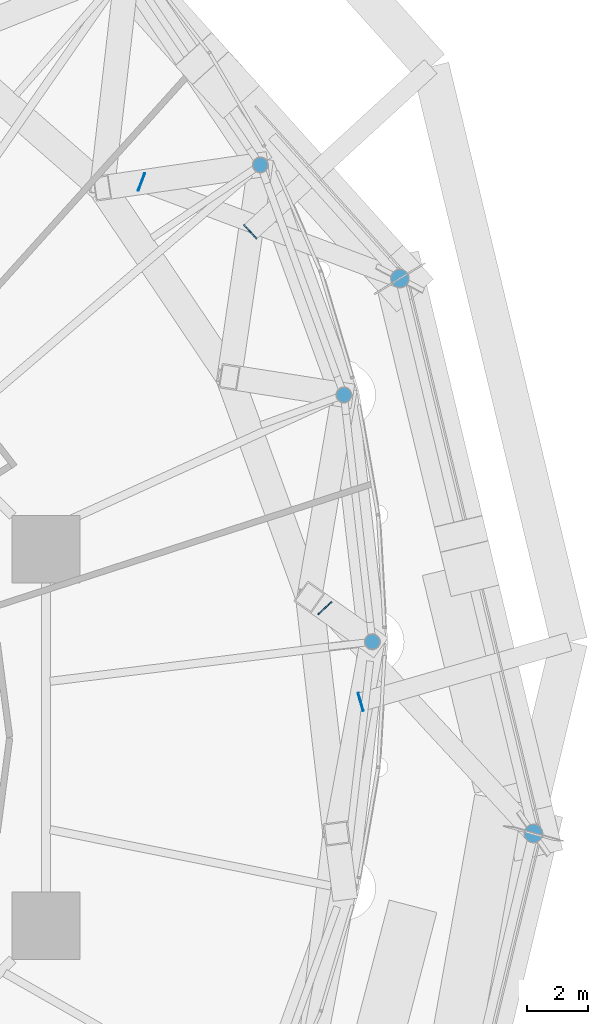
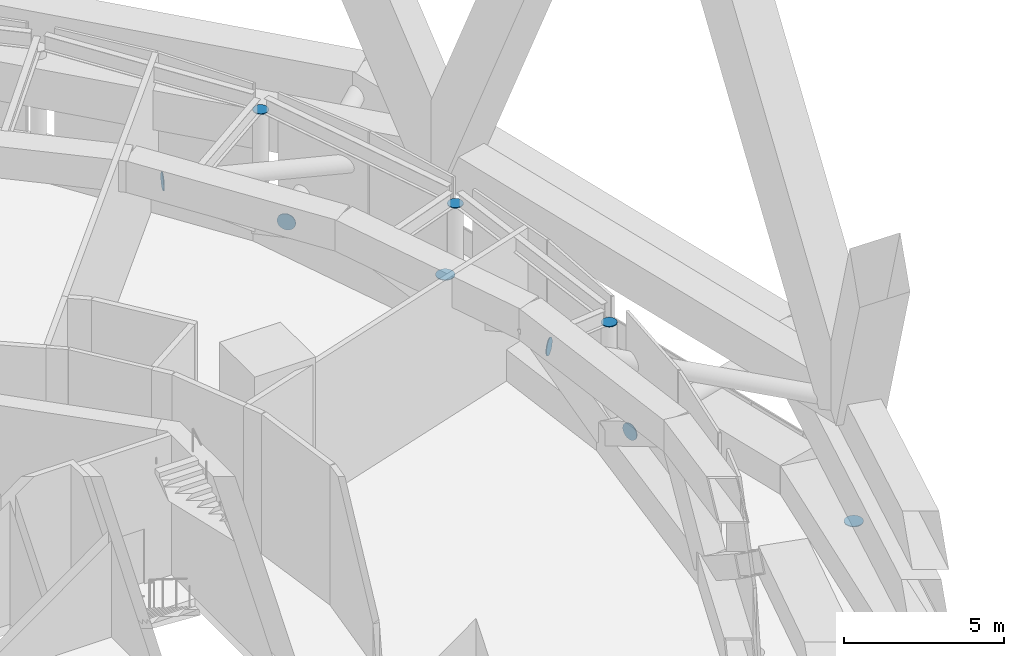
# One storey, part 61 of 65: 9 discrete accessories.
"""IFC4 building model written with IfcOpenShell, lengths in metres."""

from ifc_helpers import new_model, si_unit, direction, frame, origin, origin_2d, place, context, subcontext, project, spatial, circle, extrude, material, layer, layer_set, type_object, element, save


model = new_model("IFC4")

# Units and contexts
model_context = context("Model", 3, precision=1e-05, world=origin(), true_north=direction((0.0, 1.0)))
body_context = subcontext(model_context, "Body", "Model", "MODEL_VIEW")
ifc_project = project(units=[si_unit("LENGTHUNIT", "METRE"), si_unit("AREAUNIT", "SQUARE_METRE"), si_unit("VOLUMEUNIT", "CUBIC_METRE"), si_unit("PLANEANGLEUNIT", "RADIAN"), si_unit("MASSUNIT", "GRAM", prefix="KILO")], contexts=[model_context])

# Site, building, storey
site_placement = place(None, origin())
site = spatial("IfcSite", under=ifc_project, at=site_placement, CompositionType="ELEMENT")
building_placement = place(site_placement, origin())
building = spatial("IfcBuilding", under=site, at=building_placement, Name="Nagisa Residences", CompositionType="ELEMENT")
storey_placement = place(building_placement, frame((0.0, 0.0, 114.0)))
storey = spatial("IfcBuildingStorey", under=building, at=storey_placement, Name="L28", CompositionType="ELEMENT", Elevation=114.0)

# Discrete accessories
ifc_material_1 = material(Name="Steel ASTM A572 Gr 50", Category="steel")
ifc_layer_1 = layer(ifc_material_1, 0.030029296875)
ifc_layer_set_1 = layer_set([ifc_layer_1], Name="End plate")
discrete_accessory_type_1 = type_object("IfcDiscreteAccessoryType", Name="End plate", PredefinedType="ANCHORPLATE", material=ifc_layer_set_1)
for number, where, z_axis, x_axis, name in (
    (1, (30.635009765625, -3.11767578125, -0.889892578125), (0.0, 0.0, -1.0), (1.0, 0.0, 0.0), "End plate DH201"),
    (2, (26.28955078125, 14.9296875, -0.889892578125), (0.0, 0.0, -1.0), (1.0, 0.0, 0.0), "End plate DH202"),
):
    element("IfcDiscreteAccessory", number, at=place(storey_placement, frame(where, z_axis=z_axis, x_axis=x_axis)), inside=storey, type_object=discrete_accessory_type_1, Name=name, PredefinedType="ANCHORPLATE", context=body_context, shape_type="SweptSolid", body=[
        extrude(circle(Radius=0.304931640625, at=origin_2d()), origin(), (0.0, 0.0, 1.0), 0.030029296875),
    ])
for number, where, z_axis, x_axis, name in (
    (3, (25.39501953125, 3.11767578125, 4.737060546875), (0.0, 0.0, 1.0), (1.0, 0.0, 0.0), "End plate GP201"),
    (4, (24.46826171875, 11.14501953125, 4.737060546875), (0.0, 0.0, 1.0), (1.0, 0.0, 0.0), "End plate GP202"),
    (5, (21.75146484375, 18.625244140625, 4.737060546875), (0.0, 0.0, 1.0), (1.0, 0.0, 0.0), "End plate GP203"),
):
    element("IfcDiscreteAccessory", number, at=place(storey_placement, frame(where, z_axis=z_axis, x_axis=x_axis)), inside=storey, type_object=discrete_accessory_type_1, Name=name, PredefinedType="ANCHORPLATE", context=body_context, shape_type="SweptSolid", body=[
        extrude(circle(Radius=0.25390625, at=origin_2d()), origin(), (0.0, 0.0, 1.0), 0.030029296875),
    ])
ifc_material_2 = material(Name="Steel ASTM A572 Gr 50", Category="steel")
ifc_layer_2 = layer(ifc_material_2, 0.030029296875)
ifc_layer_set_2 = layer_set([ifc_layer_2], Name="Node plate")
discrete_accessory_type_2 = type_object("IfcDiscreteAccessoryType", Name="Node plate", PredefinedType="ANCHORPLATE", material=ifc_layer_set_2)
discrete_accessory_1_placement = place(storey_placement, frame((25.03076171875, 1.15966796875, 1.89990234375), z_axis=(-0.960906954427, -0.276871495343, 0.0), x_axis=(0.276871495343, -0.960906954427, 0.0)))
element("IfcDiscreteAccessory", 6, at=discrete_accessory_1_placement, inside=storey, type_object=discrete_accessory_type_2, Name="Node plate ST2A01", PredefinedType="ANCHORPLATE", context=body_context, shape_type="SweptSolid", body=[
    extrude(circle(Radius=0.304931640625, at=origin_2d()), origin(), (0.0, 0.0, 1.0), 0.030029296875),
])
for number, where, z_axis, x_axis, name in (
    (7, (21.43603515625, 16.4599609375, 1.89990234375), (-0.735116514991, -0.677940786048, 0.0), (0.677940786048, -0.735116514991, 0.0), "Node plate ST2A02"),
    (8, (23.862060546875, 4.20361328125, 3.699951171875), (-0.677940786048, 0.735116514991, 0.0), (-0.735116514991, -0.677940786048, 0.0), "Node plate ST3B01"),
):
    element("IfcDiscreteAccessory", number, at=place(storey_placement, frame(where, z_axis=z_axis, x_axis=x_axis)), inside=storey, type_object=discrete_accessory_type_2, Name=name, PredefinedType="ANCHORPLATE", context=body_context, shape_type="SweptSolid", body=[
        extrude(circle(Radius=0.304931640625, at=origin_2d()), origin(), (0.0, 0.0, 1.0), 0.02978515625),
    ])
discrete_accessory_2_placement = place(storey_placement, frame((17.901123046875, 18.067138671875, 3.699951171875), z_axis=(-0.936663474029, 0.350230690289, 0.0), x_axis=(-0.350230690289, -0.936663474029, 0.0)))
element("IfcDiscreteAccessory", 9, at=discrete_accessory_2_placement, inside=storey, type_object=discrete_accessory_type_2, Name="Node plate ST3B02", PredefinedType="ANCHORPLATE", context=body_context, shape_type="SweptSolid", body=[
    extrude(circle(Radius=0.304931640625, at=origin_2d()), origin(), (0.0, 0.0, 1.0), 0.030029296875),
])

save(model, "model.ifc")
